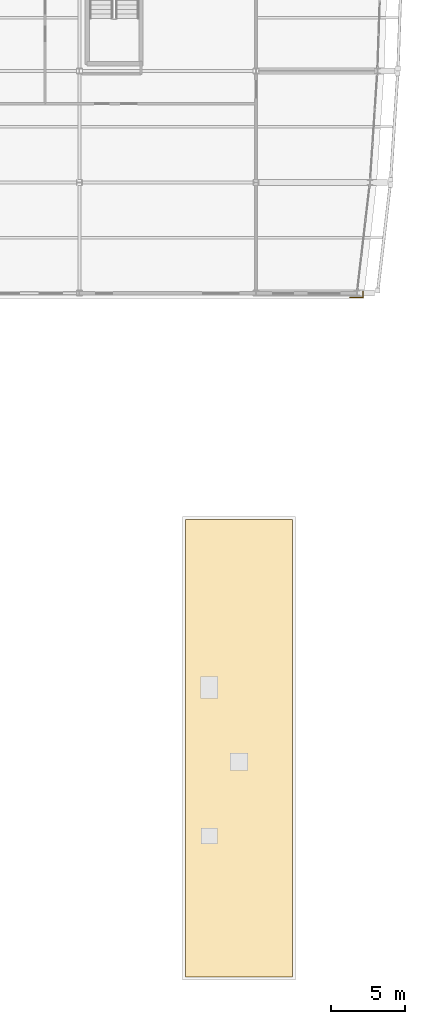
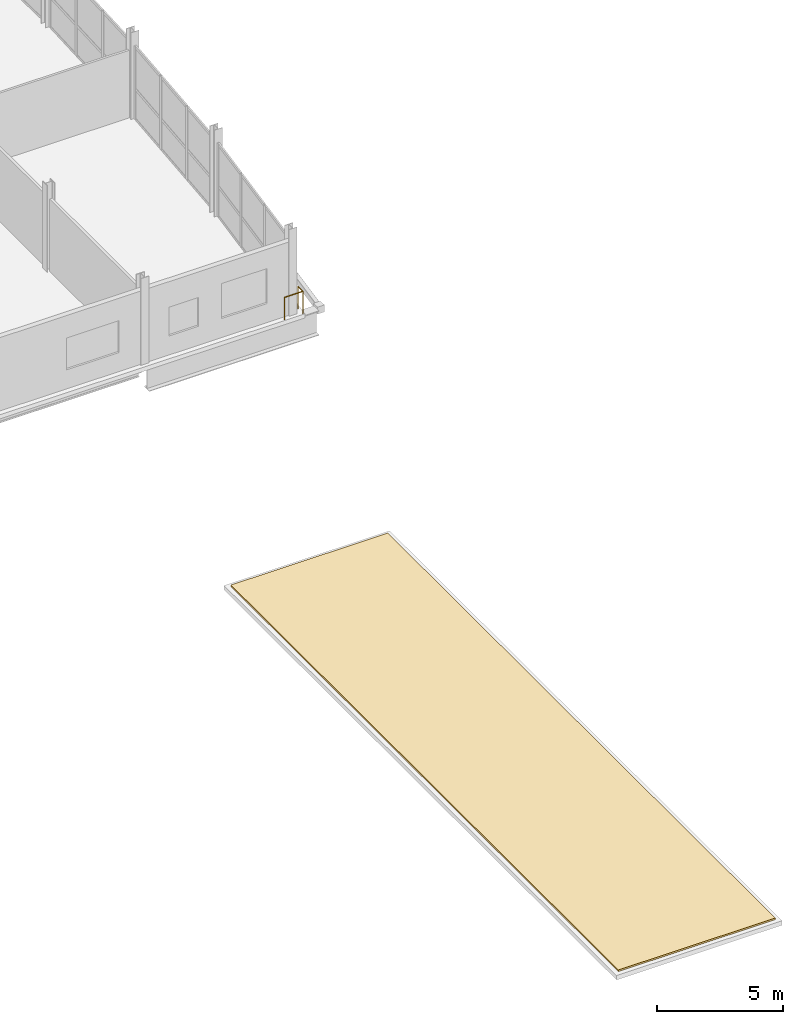
# One storey, part 19 of 23: 1 covering, 1 railing.
"""IFC4 building model written with IfcOpenShell, lengths in metres."""

import ifcopenshell
import ifcopenshell.guid

model = None  # the IFC model being written
_history = None  # IfcOwnerHistory: only IFC2X3 demands one
_inside = {}  # id of a spatial element -> (the spatial element, [elements in it])
_under = {}  # id of a project, library or spatial element -> (it, [spatial elements below it])
_declared = {}  # id of a project -> (the project, [libraries it declares])
_typed = {}  # id of a type object -> (the type object, [elements of that type])
_made_of = {}  # id of a material, layer set ... -> (it, [elements and type objects made of it])


def new_model(schema):
    """Start an empty IFC model of exactly this schema.

    Asked for "IFC4X3", IfcOpenShell would pick the latest addendum, in which some entities
    have other attributes; the version numbers below select the first issue.
    IFC2X3 requires an IfcOwnerHistory on every rooted entity: one is made here for all.
    """
    global model, _history
    if schema == "IFC4X3":
        model = ifcopenshell.file(schema_version=(4, 3, 0, 0))
    else:
        model = ifcopenshell.file(schema=schema)
    _inside.clear()
    _under.clear()
    _declared.clear()
    _typed.clear()
    _made_of.clear()
    _history = None
    if model.schema == "IFC2X3":
        org = make("IfcOrganization", Name="unknown")
        user = make(
            "IfcPersonAndOrganization",
            ThePerson=make("IfcPerson", FamilyName="unknown"),
            TheOrganization=org,
        )
        app = make(
            "IfcApplication",
            ApplicationDeveloper=org,
            Version="unknown",
            ApplicationFullName="unknown",
            ApplicationIdentifier="unknown",
        )
        _history = make(
            "IfcOwnerHistory",
            OwningUser=user,
            OwningApplication=app,
            ChangeAction="ADDED",
            CreationDate=0,
        )
    return model


def make(cls, **values):
    """One entity of the class cls with the attributes given. An attribute that is None is left unset."""
    return model.create_entity(
        cls, **{name: value for name, value in values.items() if value is not None}
    )


def rooted(cls, **values):
    """An entity with a GlobalId (a new one), such as an element, a storey or a relation."""
    return make(cls, GlobalId=ifcopenshell.guid.new(), OwnerHistory=_history, **values)


def si_unit(unit_type, name, prefix=None):
    """IfcSIUnit, for example si_unit("LENGTHUNIT", "METRE", prefix="MILLI")."""
    return make("IfcSIUnit", UnitType=unit_type, Prefix=prefix, Name=name)


def assignment(units):
    """IfcUnitAssignment: the units of a project."""
    return None if units is None else make("IfcUnitAssignment", Units=units)


def point(xyz):
    """IfcCartesianPoint."""
    return None if xyz is None else make("IfcCartesianPoint", Coordinates=xyz)


def direction(xyz):
    """IfcDirection."""
    return None if xyz is None else make("IfcDirection", DirectionRatios=xyz)


def frame(location, z_axis=None, x_axis=None):
    """IfcAxis2Placement3D, a coordinate frame: its origin and axes. An axis left out is left unset."""
    return make(
        "IfcAxis2Placement3D",
        Location=point(location),
        Axis=direction(z_axis),
        RefDirection=direction(x_axis),
    )


def frame_2d(location, x_axis=None):
    """IfcAxis2Placement2D, a coordinate frame in the plane: its origin and x axis."""
    return make(
        "IfcAxis2Placement2D", Location=point(location), RefDirection=direction(x_axis)
    )


def origin():
    """The frame at (0, 0, 0) with its axes left unset."""
    return frame((0.0, 0.0, 0.0))


def origin_2d():
    """The frame at (0, 0) in the plane with its x axis left unset."""
    return frame_2d((0.0, 0.0))


def place(relative_to, where):
    """IfcLocalPlacement: puts the frame where relative to a parent placement (None: the world)."""
    return make(
        "IfcLocalPlacement", PlacementRelTo=relative_to, RelativePlacement=where
    )


def context(
    kind, dimensions, precision=None, world=None, true_north=None, identifier=None
):
    """IfcGeometricRepresentationContext, for example the 3D "Model" context."""
    return make(
        "IfcGeometricRepresentationContext",
        ContextIdentifier=identifier,
        ContextType=kind,
        CoordinateSpaceDimension=dimensions,
        Precision=precision,
        WorldCoordinateSystem=world,
        TrueNorth=true_north,
    )


def subcontext(parent, identifier, kind, view, scale=None):
    """IfcGeometricRepresentationSubContext, for example "Body" below "Model"."""
    return make(
        "IfcGeometricRepresentationSubContext",
        ContextIdentifier=identifier,
        ContextType=kind,
        ParentContext=parent,
        TargetScale=scale,
        TargetView=view,
    )


def project(units=None, contexts=None):
    """IfcProject with its units and contexts."""
    return rooted(
        "IfcProject",
        Name="project",
        RepresentationContexts=contexts,
        UnitsInContext=assignment(units),
    )


def spatial(cls, under=None, at=None, **own):
    """A site, building, storey or space (cls), placed at a placement, below another one or the project."""
    s = rooted(cls, ObjectPlacement=at, **own)
    if under is not None:
        _under.setdefault(under.id(), (under, []))[1].append(s)
    return s


def polyline(points):
    """IfcPolyline through the points."""
    return make("IfcPolyline", Points=[point(p) for p in points])


def profile(cls, at=None, kind="AREA", **sizes):
    """A parametric profile (cls). Its sizes go by their IFC names, for example OverallWidth=200.0."""
    return make(cls, ProfileType=kind, Position=at, **sizes)


def circle(**sizes):
    """IfcCircleProfileDef."""
    return profile("IfcCircleProfileDef", **sizes)


def outline(outer, holes=None, kind="AREA"):
    """IfcArbitraryClosedProfileDef: a profile drawn as a closed curve; with holes, ...WithVoids."""
    if holes is None:
        return make("IfcArbitraryClosedProfileDef", ProfileType=kind, OuterCurve=outer)
    return make(
        "IfcArbitraryProfileDefWithVoids",
        ProfileType=kind,
        OuterCurve=outer,
        InnerCurves=holes,
    )


def extrude(swept, where, along, depth):
    """IfcExtrudedAreaSolid: the profile swept, set in the frame where, extruded along a direction by depth."""
    return make(
        "IfcExtrudedAreaSolid",
        SweptArea=swept,
        Position=where,
        ExtrudedDirection=direction(along),
        Depth=depth,
    )


def shape(context_of_items, identifier, shape_type, items):
    """IfcShapeRepresentation: the items that make up one representation, for example the "Body"."""
    return make(
        "IfcShapeRepresentation",
        ContextOfItems=context_of_items,
        RepresentationIdentifier=identifier,
        RepresentationType=shape_type,
        Items=items,
    )


def material(Name=None, Category=None):
    """IfcMaterial."""
    return make("IfcMaterial", Name=Name, Category=Category)


def layer(
    of_material, thickness, ventilated=None, Name=None, Category=None, Priority=None
):
    """IfcMaterialLayer: one layer of a wall or slab, of a material (None: an air gap)."""
    return make(
        "IfcMaterialLayer",
        Material=of_material,
        LayerThickness=thickness,
        IsVentilated=ventilated,
        Name=Name,
        Category=Category,
        Priority=Priority,
    )


def layer_set(layers, Name=None):
    """IfcMaterialLayerSet."""
    return make("IfcMaterialLayerSet", MaterialLayers=layers, LayerSetName=Name)


def made_of(thing, what):
    """Note that an element or type object is made of a material, layer set ...; save() writes the relation."""
    if what is not None:
        _made_of.setdefault(what.id(), (what, []))[1].append(thing)
    return thing


def type_object(cls, material=None, **own):
    """A type object (cls), such as IfcWallType, which elements share."""
    return made_of(rooted(cls, **own), material)


def element(
    cls,
    number,
    at=None,
    inside=None,
    cuts=None,
    type_object=None,
    material=None,
    context=None,
    identifier="Body",
    shape_type=None,
    held_by="IfcProductDefinitionShape",
    body=None,
    shapes=None,
    **own,
):
    """One element of the class cls, such as IfcWall. Its Tag is "e" and its number.

    at: its placement. inside: the storey or other place that contains it. cuts: it is an
    opening in that element (IfcRelVoidsElement). A single representation is given by context,
    identifier, shape_type and body (its items); several are given by shapes. held_by: the class
    of the entity that holds the representations. save() writes the other relations.
    """
    e = rooted(cls, Tag="e%d" % number, ObjectPlacement=at, **own)
    if body is not None:
        shapes = [shape(context, identifier, shape_type, body)]
    if shapes is not None:
        e.Representation = make(held_by, Representations=shapes)
    if inside is not None:
        _inside.setdefault(inside.id(), (inside, []))[1].append(e)
    if cuts is not None:
        rooted(
            "IfcRelVoidsElement", RelatingBuildingElement=cuts, RelatedOpeningElement=e
        )
    if type_object is not None:
        _typed.setdefault(type_object.id(), (type_object, []))[1].append(e)
    return made_of(e, material)


def aggregate(whole, parts):
    """IfcRelAggregates: a whole, such as a stair, and the parts it consists of."""
    return rooted("IfcRelAggregates", RelatingObject=whole, RelatedObjects=parts)


def save(model, path):
    """Write the relations noted so far, then the file.

    IfcRelAggregates (storeys below a building ...), IfcRelContainedInSpatialStructure (elements
    in a storey), IfcRelDefinesByType, IfcRelAssociatesMaterial and IfcRelDeclares: one each for
    every whole, place, type object, material and project.
    """
    for whole, parts in _under.values():
        aggregate(whole, parts)
    for where, things in _inside.values():
        rooted(
            "IfcRelContainedInSpatialStructure",
            RelatedElements=things,
            RelatingStructure=where,
        )
    for kind, things in _typed.values():
        rooted("IfcRelDefinesByType", RelatedObjects=things, RelatingType=kind)
    for what, things in _made_of.values():
        rooted("IfcRelAssociatesMaterial", RelatedObjects=things, RelatingMaterial=what)
    for by, libraries in _declared.values():
        rooted("IfcRelDeclares", RelatingContext=by, RelatedDefinitions=libraries)
    model.write(path)


model = new_model("IFC4")

# Units and contexts
model_context = context("Model", 3, precision=1e-05, world=origin(), true_north=direction((0.0, 1.0)))
body_context = subcontext(model_context, "Body", "Model", "MODEL_VIEW")
ifc_project = project(units=[si_unit("LENGTHUNIT", "METRE"), si_unit("AREAUNIT", "SQUARE_METRE"), si_unit("VOLUMEUNIT", "CUBIC_METRE"), si_unit("PLANEANGLEUNIT", "RADIAN"), si_unit("MASSUNIT", "GRAM", prefix="KILO")], contexts=[model_context])

# Site, building, storey
site_placement = place(None, origin())
site = spatial("IfcSite", under=ifc_project, at=site_placement, CompositionType="ELEMENT")
building_placement = place(site_placement, origin())
building = spatial("IfcBuilding", under=site, at=building_placement, Name="Quillay Park Conservatory", CompositionType="ELEMENT")
storey_placement = place(building_placement, frame((0.0, 0.0, 22.5)))
storey = spatial("IfcBuildingStorey", under=building, at=storey_placement, Name="L05", CompositionType="ELEMENT", Elevation=22.5)

# Covering
ifc_material_1 = material(Name="Insulated TPO & Extensive Vegetated Roof Assembly")
ifc_layer = layer(ifc_material_1, 0.080078125)
ifc_layer_set = layer_set([ifc_layer], Name="INSULATED ROOFING MEMBRANE 80 (Insulated TPO & Extensive Vegetated Roof Assembly)")
covering_type = type_object("IfcCoveringType", Name="INSULATED ROOFING MEMBRANE 80", PredefinedType="ROOFING", material=ifc_layer_set)
covering_placement = place(storey_placement, origin())
element("IfcCovering", 1, at=covering_placement, inside=storey, type_object=covering_type, Name="L05 Roof Assembly Covering 05", PredefinedType="ROOFING", context=body_context, shape_type="SweptSolid", body=[
    extrude(outline(polyline([(15.0, 17.0), (22.199951171875, 17.0), (22.199951171875, 47.800048828125), (15.0, 47.800048828125), (15.0, 17.0)])), origin(), (0.0, 0.0, 1.0), 0.080078125),
])

# Railing
ifc_material_2 = material(Name="Steel S355J2H", Category="steel")
railing_type = type_object("IfcRailingType", Name="TERRACE PERIMETER GUARDRAIL 1100", PredefinedType="GUARDRAIL", material=ifc_material_2)
railing_placement = place(storey_placement, frame((26.090087890625, 62.760009765625, 0.0)))
element("IfcRailing", 2, at=railing_placement, inside=storey, type_object=railing_type, Name="L05 Perimeter Safety Guardrail 029", PredefinedType="GUARDRAIL", context=body_context, shape_type="SweptSolid", body=[
    extrude(circle(Radius=0.02392578125, at=origin_2d()), frame((0.0, 0.0, 1.076171875), z_axis=(1.0, 0.0, 0.0), x_axis=(0.0, 1.0, 0.0)), (0.0, 0.0, 1.0), 0.849853515625),
    extrude(circle(Radius=0.02392578125, at=origin_2d()), frame((0.849853515625, 0.0, 1.076171875), z_axis=(0.0, 1.0, 0.0), x_axis=(-1.0, 0.0, 0.0)), (0.0, 0.0, 1.0), 0.389892578125),
    extrude(circle(Radius=0.02099609375, at=origin_2d()), origin(), (0.0, 0.0, 1.0), 1.052001953125),
    extrude(circle(Radius=0.02099609375, at=origin_2d()), frame((0.849853515625, 0.0, 0.0)), (0.0, 0.0, 1.0), 1.052001953125),
    extrude(circle(Radius=0.02099609375, at=origin_2d()), frame((0.849853515625, 0.389892578125, 0.0)), (0.0, 0.0, 1.0), 1.052001953125),
])

save(model, "model.ifc")
